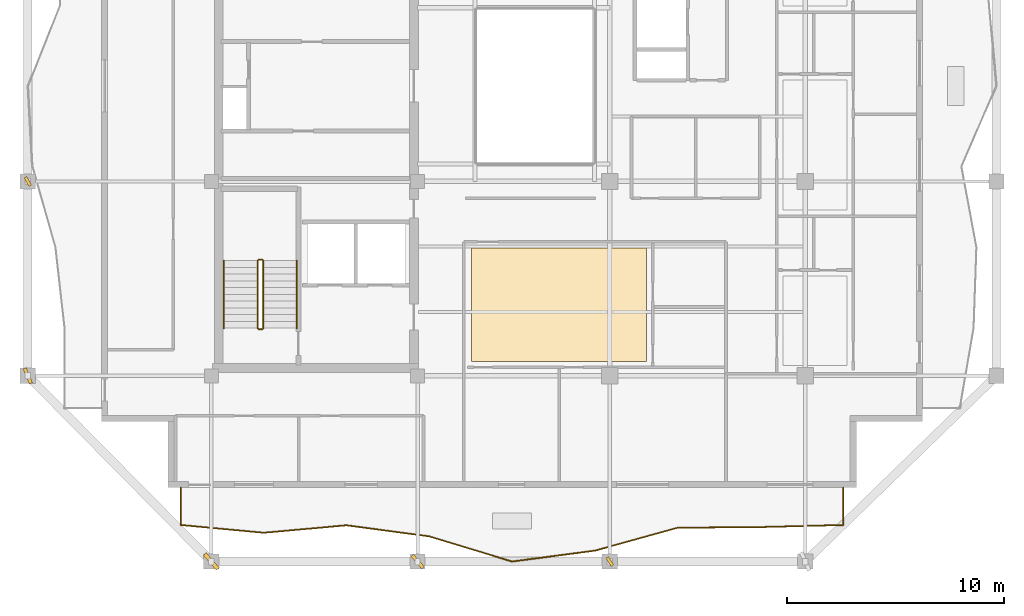
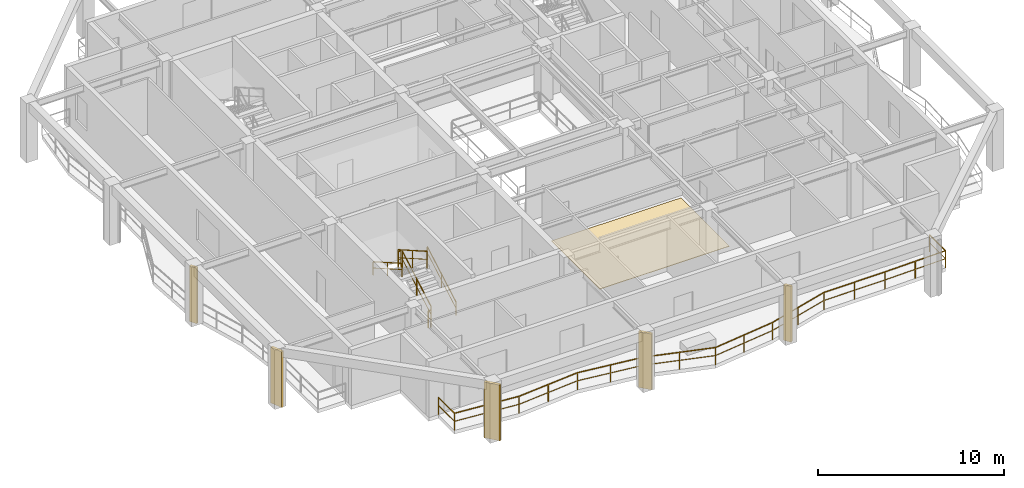
# One storey, part 7 of 10: 7 railings, 5 shading devices, 1 covering.
"""IFC4 building model written with IfcOpenShell, lengths in metres."""

from ifc_helpers import new_model, si_unit, direction, frame, origin, origin_2d, place, context, subcontext, project, spatial, polyline, rectangle, outline, extrude, material, layer, layer_set, type_object, element, save


model = new_model("IFC4")

# Units and contexts
model_context = context("Model", 3, precision=1e-05, world=origin(), true_north=direction((0.0, 1.0)))
body_context = subcontext(model_context, "Body", "Model", "MODEL_VIEW")
ifc_project = project(units=[si_unit("LENGTHUNIT", "METRE"), si_unit("AREAUNIT", "SQUARE_METRE"), si_unit("VOLUMEUNIT", "CUBIC_METRE"), si_unit("PLANEANGLEUNIT", "RADIAN"), si_unit("MASSUNIT", "GRAM", prefix="KILO")], contexts=[model_context])

# Site, building, storey
site_placement = place(None, origin())
site = spatial("IfcSite", under=ifc_project, at=site_placement, CompositionType="ELEMENT")
building_placement = place(site_placement, origin())
building = spatial("IfcBuilding", under=site, at=building_placement, Name="Kundavana Baori Tower", CompositionType="ELEMENT")
storey_placement = place(building_placement, frame((0.0, 0.0, 292.10009765625)))
storey = spatial("IfcBuildingStorey", under=building, at=storey_placement, Name="L72", CompositionType="ELEMENT", Elevation=292.10009765625)

# Covering
ifc_material_1 = material(Name="Honed Kota Stone and Terrazzo Flooring", Category="masonry")
ifc_layer = layer(ifc_material_1, 0.030029296875, Name="COV-INT-FLR")
ifc_layer_set = layer_set([ifc_layer], Name="Honed Kota Stone and Terrazzo Flooring")
covering_type = type_object("IfcCoveringType", Name="COV-INT-FLR", PredefinedType="FLOORING", material=ifc_layer_set)
covering_placement = place(storey_placement, origin())
element("IfcCovering", 1, at=covering_placement, inside=storey, type_object=covering_type, Name="L72 Room Finished Stone Flooring 1", PredefinedType="FLOORING", context=body_context, shape_type="SweptSolid", body=[
    extrude(outline(polyline([(27.43994140625, 15.919921875), (35.489990234375, 15.919921875), (35.489990234375, 21.139892578125), (27.43994140625, 21.139892578125), (27.43994140625, 15.919921875)])), origin(), (0.0, 0.0, 1.0), 0.02978515625),
])

# Railings
ifc_material_2 = material(Name="Architectural Patinated Bronze Metalwork")
railing_type_1 = type_object("IfcRailingType", Name="RL-BAL-1150", PredefinedType="BALUSTRADE", material=ifc_material_2)
railing_1_placement = place(storey_placement, frame((44.550048828125, 10.10009765625, 0.0)))
element("IfcRailing", 2, at=railing_1_placement, inside=storey, type_object=railing_type_1, Name="L72 Loggia Balcony Balustrade S", PredefinedType="BALUSTRADE", context=body_context, shape_type="SweptSolid", body=[
    extrude(rectangle(XDim=0.048095703125, YDim=0.048095703125, at=origin_2d()), frame((0.0, 0.0, 1.1259765625), z_axis=(0.0, -1.0, 0.0), x_axis=(1.0, 0.0, 0.0)), (0.0, 0.0, 1.0), 1.72021484375),
    extrude(rectangle(XDim=0.03125, YDim=0.03125, at=origin_2d()), frame((0.0, 0.0, 0.597900390625), z_axis=(0.0, -1.0, 0.0), x_axis=(1.0, 0.0, 0.0)), (0.0, 0.0, 1.0), 1.72021484375),
    extrude(rectangle(XDim=0.048095703125, YDim=0.048095703125, at=origin_2d()), frame((0.0, -1.72021484375, 1.1259765625), z_axis=(-0.999677083839, -0.025411179555, 0.0), x_axis=(0.025411179555, -0.999677083839, 0.0)), (0.0, 0.0, 1.0), 3.814208984375),
    extrude(rectangle(XDim=0.03125, YDim=0.03125, at=origin_2d()), frame((0.0, -1.72021484375, 0.597900390625), z_axis=(-0.999677083839, -0.025411179555, 0.0), x_axis=(0.025411179555, -0.999677083839, 0.0)), (0.0, 0.0, 1.0), 3.814208984375),
    extrude(rectangle(XDim=0.048095703125, YDim=0.048095703125, at=origin_2d()), frame((-3.81298828125, -1.817138671875, 1.1259765625), z_axis=(-0.999972878128, -0.007364985333, 0.0), x_axis=(0.007364985333, -0.999972878128, 0.0)), (0.0, 0.0, 1.0), 3.81201171875),
    extrude(rectangle(XDim=0.03125, YDim=0.03125, at=origin_2d()), frame((-3.81298828125, -1.817138671875, 0.597900390625), z_axis=(-0.999972878128, -0.007364985333, 0.0), x_axis=(0.007364985333, -0.999972878128, 0.0)), (0.0, 0.0, 1.0), 3.81201171875),
    extrude(rectangle(XDim=0.048095703125, YDim=0.048095703125, at=origin_2d()), frame((-7.625, -1.84521484375, 1.1259765625), z_axis=(-0.963666271096, -0.267109187321, 0.0), x_axis=(0.267109187321, -0.963666271096, 0.0)), (0.0, 0.0, 1.0), 3.956787109375),
    extrude(rectangle(XDim=0.03125, YDim=0.03125, at=origin_2d()), frame((-7.625, -1.84521484375, 0.597900390625), z_axis=(-0.963666271096, -0.267109187321, 0.0), x_axis=(0.267109187321, -0.963666271096, 0.0)), (0.0, 0.0, 1.0), 3.956787109375),
    extrude(rectangle(XDim=0.048095703125, YDim=0.048095703125, at=origin_2d()), frame((-11.43798828125, -2.902099609375, 1.1259765625), z_axis=(-0.991572767282, -0.129550944361, 0.0), x_axis=(0.129550944361, -0.991572767282, 0.0)), (0.0, 0.0, 1.0), 3.844482421875),
    extrude(rectangle(XDim=0.03125, YDim=0.03125, at=origin_2d()), frame((-11.43798828125, -2.902099609375, 0.597900390625), z_axis=(-0.991572767282, -0.129550944361, 0.0), x_axis=(0.129550944361, -0.991572767282, 0.0)), (0.0, 0.0, 1.0), 3.844482421875),
    extrude(rectangle(XDim=0.048095703125, YDim=0.048095703125, at=origin_2d()), frame((-15.25, -3.400146484375, 1.1259765625), z_axis=(-0.956985745048, 0.290134940633, 0.0), x_axis=(-0.290134940633, -0.956985745048, 0.0)), (0.0, 0.0, 1.0), 3.984375),
    extrude(rectangle(XDim=0.03125, YDim=0.03125, at=origin_2d()), frame((-15.25, -3.400146484375, 0.597900390625), z_axis=(-0.956985745048, 0.290134940633, 0.0), x_axis=(-0.290134940633, -0.956985745048, 0.0)), (0.0, 0.0, 1.0), 3.984375),
    extrude(rectangle(XDim=0.048095703125, YDim=0.048095703125, at=origin_2d()), frame((-19.06298828125, -2.244140625, 1.1259765625), z_axis=(-0.991168479406, 0.132608617489, 0.0), x_axis=(-0.132608617489, -0.991168479406, 0.0)), (0.0, 0.0, 1.0), 3.845947265625),
    extrude(rectangle(XDim=0.03125, YDim=0.03125, at=origin_2d()), frame((-19.06298828125, -2.244140625, 0.597900390625), z_axis=(-0.991168479406, 0.132608617489, 0.0), x_axis=(-0.132608617489, -0.991168479406, 0.0)), (0.0, 0.0, 1.0), 3.845947265625),
    extrude(rectangle(XDim=0.048095703125, YDim=0.048095703125, at=origin_2d()), frame((-22.875, -1.734130859375, 1.1259765625), z_axis=(-0.995975919339, -0.089621248026, 0.0), x_axis=(0.089621248026, -0.995975919339, 0.0)), (0.0, 0.0, 1.0), 3.827392578125),
    extrude(rectangle(XDim=0.03125, YDim=0.03125, at=origin_2d()), frame((-22.875, -1.734130859375, 0.597900390625), z_axis=(-0.995975919339, -0.089621248026, 0.0), x_axis=(0.089621248026, -0.995975919339, 0.0)), (0.0, 0.0, 1.0), 3.827392578125),
    extrude(rectangle(XDim=0.048095703125, YDim=0.048095703125, at=origin_2d()), frame((-26.68701171875, -2.0771484375, 1.1259765625), z_axis=(-0.995647176284, 0.093202469697, 0.0), x_axis=(-0.093202469697, -0.995647176284, 0.0)), (0.0, 0.0, 1.0), 3.82958984375),
    extrude(rectangle(XDim=0.03125, YDim=0.03125, at=origin_2d()), frame((-26.68701171875, -2.0771484375, 0.597900390625), z_axis=(-0.995647176284, 0.093202469697, 0.0), x_axis=(-0.093202469697, -0.995647176284, 0.0)), (0.0, 0.0, 1.0), 3.82958984375),
    extrude(rectangle(XDim=0.048095703125, YDim=0.048095703125, at=origin_2d()), frame((-30.5, -1.72021484375, 1.1259765625), z_axis=(0.0, 1.0, 0.0), x_axis=(-1.0, 0.0, 0.0)), (0.0, 0.0, 1.0), 1.72021484375),
    extrude(rectangle(XDim=0.03125, YDim=0.03125, at=origin_2d()), frame((-30.5, -1.72021484375, 0.597900390625), z_axis=(0.0, 1.0, 0.0), x_axis=(-1.0, 0.0, 0.0)), (0.0, 0.0, 1.0), 1.72021484375),
    extrude(rectangle(XDim=0.0419921875, YDim=0.0419921875, at=origin_2d()), origin(), (0.0, 0.0, 1.0), 1.101806640625),
    extrude(rectangle(XDim=0.0419921875, YDim=0.0419921875, at=origin_2d()), frame((0.0, -1.72021484375, 0.0)), (0.0, 0.0, 1.0), 1.101806640625),
    extrude(rectangle(XDim=0.0419921875, YDim=0.0419921875, at=origin_2d()), frame((-1.906494140625, -1.7685546875, 0.0)), (0.0, 0.0, 1.0), 1.101806640625),
    extrude(rectangle(XDim=0.0419921875, YDim=0.0419921875, at=origin_2d()), frame((-3.81298828125, -1.817138671875, 0.0)), (0.0, 0.0, 1.0), 1.101806640625),
    extrude(rectangle(XDim=0.0419921875, YDim=0.0419921875, at=origin_2d()), frame((-5.718994140625, -1.8310546875, 0.0)), (0.0, 0.0, 1.0), 1.101806640625),
    extrude(rectangle(XDim=0.0419921875, YDim=0.0419921875, at=origin_2d()), frame((-7.625, -1.84521484375, 0.0)), (0.0, 0.0, 1.0), 1.101806640625),
    extrude(rectangle(XDim=0.0419921875, YDim=0.0419921875, at=origin_2d()), frame((-9.531494140625, -2.37353515625, 0.0)), (0.0, 0.0, 1.0), 1.101806640625),
    extrude(rectangle(XDim=0.0419921875, YDim=0.0419921875, at=origin_2d()), frame((-11.43798828125, -2.902099609375, 0.0)), (0.0, 0.0, 1.0), 1.101806640625),
    extrude(rectangle(XDim=0.0419921875, YDim=0.0419921875, at=origin_2d()), frame((-13.343994140625, -3.151123046875, 0.0)), (0.0, 0.0, 1.0), 1.101806640625),
    extrude(rectangle(XDim=0.0419921875, YDim=0.0419921875, at=origin_2d()), frame((-15.25, -3.400146484375, 0.0)), (0.0, 0.0, 1.0), 1.101806640625),
    extrude(rectangle(XDim=0.0419921875, YDim=0.0419921875, at=origin_2d()), frame((-17.156494140625, -2.822265625, 0.0)), (0.0, 0.0, 1.0), 1.101806640625),
    extrude(rectangle(XDim=0.0419921875, YDim=0.0419921875, at=origin_2d()), frame((-19.06298828125, -2.244140625, 0.0)), (0.0, 0.0, 1.0), 1.101806640625),
    extrude(rectangle(XDim=0.0419921875, YDim=0.0419921875, at=origin_2d()), frame((-20.968994140625, -1.9892578125, 0.0)), (0.0, 0.0, 1.0), 1.101806640625),
    extrude(rectangle(XDim=0.0419921875, YDim=0.0419921875, at=origin_2d()), frame((-22.875, -1.734130859375, 0.0)), (0.0, 0.0, 1.0), 1.101806640625),
    extrude(rectangle(XDim=0.0419921875, YDim=0.0419921875, at=origin_2d()), frame((-24.781005859375, -1.90576171875, 0.0)), (0.0, 0.0, 1.0), 1.101806640625),
    extrude(rectangle(XDim=0.0419921875, YDim=0.0419921875, at=origin_2d()), frame((-26.68701171875, -2.0771484375, 0.0)), (0.0, 0.0, 1.0), 1.101806640625),
    extrude(rectangle(XDim=0.0419921875, YDim=0.0419921875, at=origin_2d()), frame((-28.593505859375, -1.898681640625, 0.0)), (0.0, 0.0, 1.0), 1.101806640625),
    extrude(rectangle(XDim=0.0419921875, YDim=0.0419921875, at=origin_2d()), frame((-30.5, -1.72021484375, 0.0)), (0.0, 0.0, 1.0), 1.101806640625),
    extrude(rectangle(XDim=0.0419921875, YDim=0.0419921875, at=origin_2d()), frame((-30.5, 0.0, 0.0)), (0.0, 0.0, 1.0), 1.101806640625),
])
ifc_material_3 = material(Name="Architectural Patinated Bronze Metalwork")
railing_type_2 = type_object("IfcRailingType", Name="RL-GRD-1150", PredefinedType="GUARDRAIL", material=ifc_material_3)
railing_2_placement = place(storey_placement, frame((17.840087890625, 17.449951171875, 0.17724609375)))
element("IfcRailing", 3, at=railing_2_placement, inside=storey, type_object=railing_type_2, Name="L72 ST1 stair guard 1", PredefinedType="GUARDRAIL", context=body_context, shape_type="SweptSolid", body=[
    extrude(rectangle(XDim=0.048095703125, YDim=0.048095703125, at=origin_2d()), frame((0.0, 0.0, 1.1259765625), z_axis=(0.0, 0.868095856688, 0.496396599103), x_axis=(-1.0, 0.0, 0.0)), (0.0, 0.0, 1.0), 3.571044921875),
    extrude(rectangle(XDim=0.03125, YDim=0.03125, at=origin_2d()), frame((0.0, 0.0, 0.597900390625), z_axis=(0.0, 0.868095856688, 0.496396599103), x_axis=(-1.0, 0.0, 0.0)), (0.0, 0.0, 1.0), 3.571044921875),
    extrude(rectangle(XDim=0.0419921875, YDim=0.0419921875, at=origin_2d()), origin(), (0.0, 0.0, 1.0), 1.101806640625),
    extrude(rectangle(XDim=0.0419921875, YDim=0.0419921875, at=origin_2d()), frame((0.0, 1.550048828125, 0.88623046875)), (0.0, 0.0, 1.0), 1.101806640625),
    extrude(rectangle(XDim=0.0419921875, YDim=0.0419921875, at=origin_2d()), frame((0.0, 3.10009765625, 1.772705078125)), (0.0, 0.0, 1.0), 1.101806640625),
])
railing_3_placement = place(storey_placement, frame((17.7900390625, 20.60009765625, 1.949951171875)))
element("IfcRailing", 4, at=railing_3_placement, inside=storey, type_object=railing_type_2, Name="L72 ST1 stair guard 2", PredefinedType="GUARDRAIL", context=body_context, shape_type="SweptSolid", body=[
    extrude(rectangle(XDim=0.048095703125, YDim=0.048095703125, at=origin_2d()), frame((0.0, 0.0, 1.1259765625), z_axis=(-1.0, 0.0, 0.0), x_axis=(0.0, -1.0, 0.0)), (0.0, 0.0, 1.0), 0.16015625),
    extrude(rectangle(XDim=0.03125, YDim=0.03125, at=origin_2d()), frame((0.0, 0.0, 0.597900390625), z_axis=(-1.0, 0.0, 0.0), x_axis=(0.0, -1.0, 0.0)), (0.0, 0.0, 1.0), 0.16015625),
    extrude(rectangle(XDim=0.0419921875, YDim=0.0419921875, at=origin_2d()), origin(), (0.0, 0.0, 1.0), 1.101806640625),
    extrude(rectangle(XDim=0.0419921875, YDim=0.0419921875, at=origin_2d()), frame((-0.16015625, 0.0, 0.0)), (0.0, 0.0, 1.0), 1.101806640625),
])
railing_4_placement = place(storey_placement, frame((17.580078125, 20.550048828125, 2.127197265625)))
element("IfcRailing", 5, at=railing_4_placement, inside=storey, type_object=railing_type_2, Name="L72 ST1 stair guard 3", PredefinedType="GUARDRAIL", context=body_context, shape_type="SweptSolid", body=[
    extrude(rectangle(XDim=0.048095703125, YDim=0.048095703125, at=origin_2d()), frame((0.0, 0.0, 1.1259765625), z_axis=(0.0, -0.868095856688, 0.496396599103), x_axis=(1.0, 0.0, 0.0)), (0.0, 0.0, 1.0), 3.571044921875),
    extrude(rectangle(XDim=0.03125, YDim=0.03125, at=origin_2d()), frame((0.0, 0.0, 0.597900390625), z_axis=(0.0, -0.868095856688, 0.496396599103), x_axis=(1.0, 0.0, 0.0)), (0.0, 0.0, 1.0), 3.571044921875),
    extrude(rectangle(XDim=0.0419921875, YDim=0.0419921875, at=origin_2d()), origin(), (0.0, 0.0, 1.0), 1.101806640625),
    extrude(rectangle(XDim=0.0419921875, YDim=0.0419921875, at=origin_2d()), frame((0.0, -1.550048828125, 0.88623046875)), (0.0, 0.0, 1.0), 1.101806640625),
    extrude(rectangle(XDim=0.0419921875, YDim=0.0419921875, at=origin_2d()), frame((0.0, -3.10009765625, 1.772705078125)), (0.0, 0.0, 1.0), 1.101806640625),
])
railing_5_placement = place(storey_placement, frame((17.7900390625, 17.39990234375, 0.0)))
element("IfcRailing", 6, at=railing_5_placement, inside=storey, type_object=railing_type_2, Name="L72 ST1 stair guard 4", PredefinedType="GUARDRAIL", context=body_context, shape_type="SweptSolid", body=[
    extrude(rectangle(XDim=0.048095703125, YDim=0.048095703125, at=origin_2d()), frame((0.0, 0.0, 1.1259765625), z_axis=(-1.0, 0.0, 0.0), x_axis=(0.0, -1.0, 0.0)), (0.0, 0.0, 1.0), 0.16015625),
    extrude(rectangle(XDim=0.03125, YDim=0.03125, at=origin_2d()), frame((0.0, 0.0, 0.597900390625), z_axis=(-1.0, 0.0, 0.0), x_axis=(0.0, -1.0, 0.0)), (0.0, 0.0, 1.0), 0.16015625),
    extrude(rectangle(XDim=0.0419921875, YDim=0.0419921875, at=origin_2d()), origin(), (0.0, 0.0, 1.0), 1.101806640625),
    extrude(rectangle(XDim=0.0419921875, YDim=0.0419921875, at=origin_2d()), frame((-0.16015625, 0.0, 0.0)), (0.0, 0.0, 1.0), 1.101806640625),
])
ifc_material_4 = material(Name="Architectural Patinated Bronze Metalwork")
railing_type_3 = type_object("IfcRailingType", Name="RL-HND-920", PredefinedType="HANDRAIL", material=ifc_material_4)
railing_6_placement = place(storey_placement, frame((19.389892578125, 17.449951171875, 0.17724609375)))
element("IfcRailing", 7, at=railing_6_placement, inside=storey, type_object=railing_type_3, Name="L72 ST1 stair handrail 1", PredefinedType="HANDRAIL", context=body_context, shape_type="SweptSolid", body=[
    extrude(rectangle(XDim=0.048095703125, YDim=0.048095703125, at=origin_2d()), frame((0.0, 0.0, 0.8759765625), z_axis=(0.0, 0.868095856688, 0.496396599103), x_axis=(-1.0, 0.0, 0.0)), (0.0, 0.0, 1.0), 3.571044921875),
    extrude(rectangle(XDim=0.03125, YDim=0.03125, at=origin_2d()), frame((0.0, 0.0, 0.468017578125), z_axis=(0.0, 0.868095856688, 0.496396599103), x_axis=(-1.0, 0.0, 0.0)), (0.0, 0.0, 1.0), 3.571044921875),
    extrude(rectangle(XDim=0.0419921875, YDim=0.0419921875, at=origin_2d()), origin(), (0.0, 0.0, 1.0), 0.851806640625),
    extrude(rectangle(XDim=0.0419921875, YDim=0.0419921875, at=origin_2d()), frame((0.0, 1.550048828125, 0.88623046875)), (0.0, 0.0, 1.0), 0.851806640625),
    extrude(rectangle(XDim=0.0419921875, YDim=0.0419921875, at=origin_2d()), frame((0.0, 3.10009765625, 1.772705078125)), (0.0, 0.0, 1.0), 0.851806640625),
])
railing_7_placement = place(storey_placement, frame((16.030029296875, 20.550048828125, 2.127197265625)))
element("IfcRailing", 8, at=railing_7_placement, inside=storey, type_object=railing_type_3, Name="L72 ST1 stair handrail 2", PredefinedType="HANDRAIL", context=body_context, shape_type="SweptSolid", body=[
    extrude(rectangle(XDim=0.048095703125, YDim=0.048095703125, at=origin_2d()), frame((0.0, 0.0, 0.8759765625), z_axis=(0.0, -0.868095856688, 0.496396599103), x_axis=(1.0, 0.0, 0.0)), (0.0, 0.0, 1.0), 3.571044921875),
    extrude(rectangle(XDim=0.03125, YDim=0.03125, at=origin_2d()), frame((0.0, 0.0, 0.468017578125), z_axis=(0.0, -0.868095856688, 0.496396599103), x_axis=(1.0, 0.0, 0.0)), (0.0, 0.0, 1.0), 3.571044921875),
    extrude(rectangle(XDim=0.0419921875, YDim=0.0419921875, at=origin_2d()), origin(), (0.0, 0.0, 1.0), 0.851806640625),
    extrude(rectangle(XDim=0.0419921875, YDim=0.0419921875, at=origin_2d()), frame((0.0, -1.550048828125, 0.88623046875)), (0.0, 0.0, 1.0), 0.851806640625),
    extrude(rectangle(XDim=0.0419921875, YDim=0.0419921875, at=origin_2d()), frame((0.0, -3.10009765625, 1.772705078125)), (0.0, 0.0, 1.0), 0.851806640625),
])

# Shading devices
ifc_material_5 = material(Name="Red-Buff Dholpur Sandstone Cladding on Concrete C40/50", Category="masonry")
shading_device_type_1 = type_object("IfcShadingDeviceType", Name="SHD-FIN-750", PredefinedType="JALOUSIE", material=ifc_material_5)
for number, where, z_axis, x_axis, name in (
    (9, (24.949951171875, 6.699951171875, 0.0), (0.0, 0.0, 1.0), (0.757109087531, 0.653288473477, 0.0), "L72 Sweeping Dholpur Sandstone Facade Fin 2"),
    (10, (7.0, 15.25, 0.0), (0.0, 0.0, 1.0), (0.923076016497, 0.3846175604, 0.0), "L72 Sweeping Dholpur Sandstone Facade Fin 5"),
):
    element("IfcShadingDevice", number, at=place(storey_placement, frame(where, z_axis=z_axis, x_axis=x_axis)), inside=storey, type_object=shading_device_type_1, Name=name, PredefinedType="JALOUSIE", context=body_context, shape_type="SweptSolid", body=[
        extrude(rectangle(XDim=0.159912109375, YDim=0.75, at=origin_2d()), origin(), (0.0, 0.0, 1.0), 3.659912109375),
    ])
ifc_material_6 = material(Name="Red-Buff Dholpur Sandstone Cladding on Concrete C40/50", Category="masonry")
shading_device_type_2 = type_object("IfcShadingDeviceType", Name="SHD-FIN-920", PredefinedType="JALOUSIE", material=ifc_material_6)
shading_device_placement = place(storey_placement, frame((15.449951171875, 6.699951171875, 0.0), z_axis=(0.0, 0.0, 1.0), x_axis=(0.757451044777, 0.652891962553, 0.0)))
element("IfcShadingDevice", 11, at=shading_device_placement, inside=storey, type_object=shading_device_type_2, Name="L72 Sweeping Dholpur Sandstone Facade Fin 1", PredefinedType="JALOUSIE", context=body_context, shape_type="SweptSolid", body=[
    extrude(rectangle(XDim=0.179931640625, YDim=0.919921875, at=origin_2d()), origin(), (0.0, 0.0, 1.0), 3.659912109375),
])
ifc_material_7 = material(Name="Architectural Patinated Bronze Metalwork")
shading_device_type_3 = type_object("IfcShadingDeviceType", Name="SHD-LOUV-450", PredefinedType="SHUTTER", material=ifc_material_7)
for number, where, z_axis, x_axis, name in (
    (12, (33.800048828125, 6.699951171875, 0.0), (0.0, 0.0, 1.0), (0.841133418011, 0.54082767413, 0.0), "L72 Sweeping Dholpur Sandstone Facade Fin 3"),
    (13, (7.0, 24.199951171875, 0.0), (0.0, 0.0, 1.0), (0.867244547743, 0.497882410223, 0.0), "L72 Sweeping Dholpur Sandstone Facade Fin 6"),
):
    element("IfcShadingDevice", number, at=place(storey_placement, frame(where, z_axis=z_axis, x_axis=x_axis)), inside=storey, type_object=shading_device_type_3, Name=name, PredefinedType="SHUTTER", context=body_context, shape_type="SweptSolid", body=[
        extrude(rectangle(XDim=0.139892578125, YDim=0.449951171875, at=origin_2d()), origin(), (0.0, 0.0, 1.0), 3.659912109375),
    ])

save(model, "model.ifc")
